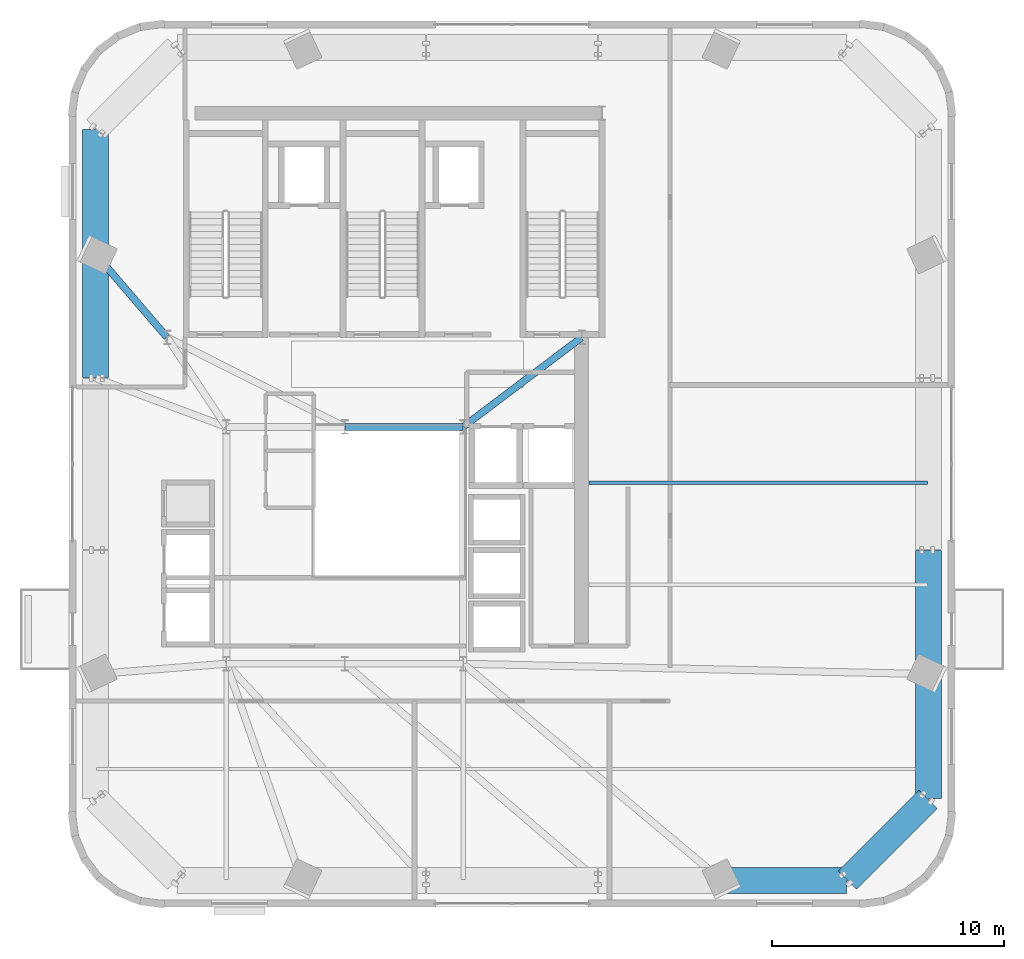
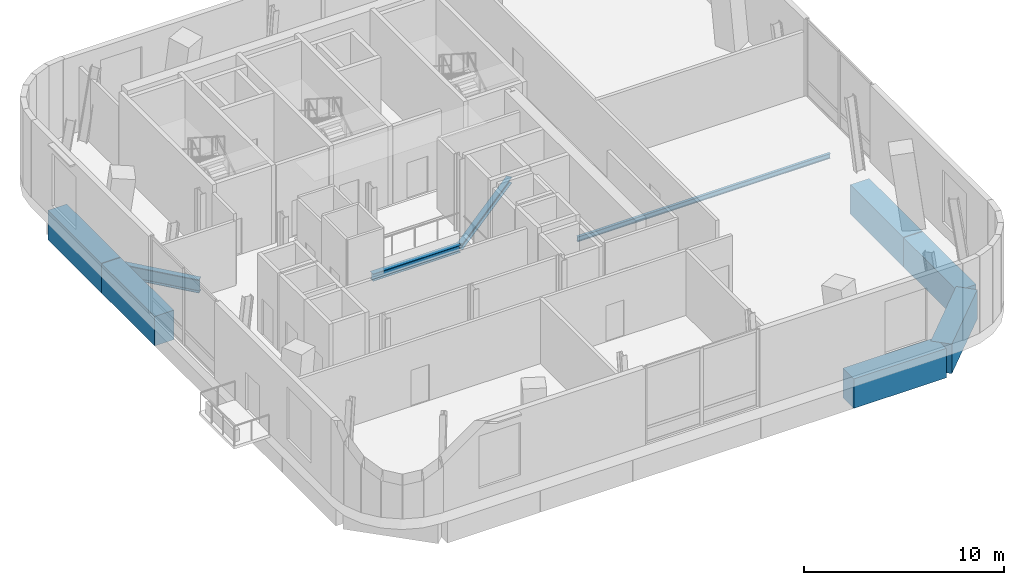
# One storey, part 3 of 11: 10 beams.
"""IFC4 building model written with IfcOpenShell, lengths in metres."""

from ifc_helpers import new_model, si_unit, direction, frame, origin, origin_2d, place, context, subcontext, project, spatial, rectangle, i_section, extrude, source, transform, mapped, material, material_profile, profile_set, type_object, element, save


model = new_model("IFC4")

# Units and contexts
model_context = context("Model", 3, precision=1e-05, world=origin(), true_north=direction((0.0, 1.0)))
body_context = subcontext(model_context, "Body", "Model", "MODEL_VIEW")
ifc_project = project(units=[si_unit("LENGTHUNIT", "METRE"), si_unit("AREAUNIT", "SQUARE_METRE"), si_unit("VOLUMEUNIT", "CUBIC_METRE"), si_unit("PLANEANGLEUNIT", "RADIAN"), si_unit("MASSUNIT", "GRAM", prefix="KILO")], contexts=[model_context])

# Site, building, storey
site_placement = place(None, origin())
site = spatial("IfcSite", under=ifc_project, at=site_placement, CompositionType="ELEMENT")
building_placement = place(site_placement, origin())
building = spatial("IfcBuilding", under=site, at=building_placement, Name="Vardaveli Station Tower", CompositionType="ELEMENT")
storey_placement = place(building_placement, frame((0.0, 0.0, 286.14990234375)))
storey = spatial("IfcBuildingStorey", under=building, at=storey_placement, Name="L73", CompositionType="ELEMENT", Elevation=286.14990234375)

# Beams
ifc_material_1 = material(Name="Structural steel S355J2", Category="steel")
ifc_material_profile_1 = material_profile(ifc_material_1, i_section(OverallWidth=0.300048828125, OverallDepth=0.449951171875, WebThickness=0.013916015625, FlangeThickness=0.02587890625, FilletRadius=0.027099609375, at=origin_2d()), Name="HEB 450")
ifc_profile_set_1 = profile_set([ifc_material_profile_1], Name="Structural steel S355J2")
beam_type_1 = type_object("IfcBeamType", Name="BM-HEB450", PredefinedType="BEAM", material=ifc_profile_set_1)
shared_shape_1 = source(origin(), body_context, "Body", "SweptSolid", [
    extrude(i_section(OverallWidth=0.300048828125, OverallDepth=0.449951171875, WebThickness=0.013916015625, FlangeThickness=0.02587890625, FilletRadius=0.027099609375, at=origin_2d()), origin(), (0.0, 0.0, 1.0), 5.059814453125),
])
beam_1_placement = place(storey_placement, frame((41.3798828125, 26.800048828125, -0.875), z_axis=(-1.0, 0.0, 0.0), x_axis=(0.0, -1.0, 0.0)))
element("IfcBeam", 1, at=beam_1_placement, inside=storey, type_object=beam_type_1, Name="ABM-L73-04", PredefinedType="BEAM", context=body_context, shape_type="MappedRepresentation", body=[
    mapped(shared_shape_1, transform((0.0, 0.0, 0.0), scale=1.0)),
])
ifc_material_profile_2 = material_profile(ifc_material_1, i_section(OverallWidth=0.300048828125, OverallDepth=0.360107421875, WebThickness=0.012451171875, FlangeThickness=0.0224609375, FilletRadius=0.027099609375, at=origin_2d()), Name="HEB 360")
ifc_profile_set_2 = profile_set([ifc_material_profile_2], Name="Structural steel S355J2")
beam_type_2 = type_object("IfcBeamType", Name="BM-HEB360", PredefinedType="BEAM", material=ifc_profile_set_2)
shared_shape_2 = source(origin(), body_context, "Body", "SweptSolid", [
    extrude(i_section(OverallWidth=0.300048828125, OverallDepth=0.360107421875, WebThickness=0.012451171875, FlangeThickness=0.0224609375, FilletRadius=0.027099609375, at=origin_2d()), origin(), (0.0, 0.0, 1.0), 6.35009765625),
])
beam_2_placement = place(storey_placement, frame((41.416015625, 26.81201171875, -0.829833984375), z_axis=(0.798118337722, 0.602500721154, 0.0), x_axis=(-0.602500721154, 0.798118337722, 0.0)))
element("IfcBeam", 2, at=beam_2_placement, inside=storey, type_object=beam_type_2, Name="CBM-L73-02", PredefinedType="BEAM", context=body_context, shape_type="MappedRepresentation", body=[
    mapped(shared_shape_2, transform((0.0, 0.0, 0.0), scale=1.0)),
])
ifc_material_2 = material(Name="Concrete C60/75", Category="concrete")
ifc_material_profile_3 = material_profile(ifc_material_2, rectangle(XDim=1.10009765625, YDim=1.800048828125, at=origin_2d()), Name="TG 1100x1800")
ifc_profile_set_3 = profile_set([ifc_material_profile_3], Name="Concrete C60/75")
beam_type_3 = type_object("IfcBeamType", Name="BM-TG-1800", PredefinedType="BEAM", material=ifc_profile_set_3)
shared_shape_3 = source(origin(), body_context, "Body", "SweptSolid", [
    extrude(rectangle(XDim=1.10009765625, YDim=1.800048828125, at=origin_2d()), origin(), (0.0, 0.0, 1.0), 5.3037109375),
])
beam_3_placement = place(storey_placement, frame((61.429931640625, 16.17626953125, -1.5498046875), z_axis=(0.0, 1.0, 0.0), x_axis=(-1.0, 0.0, 0.0)))
element("IfcBeam", 3, at=beam_3_placement, inside=storey, type_object=beam_type_3, Name="RBM-L73-07", PredefinedType="BEAM", context=body_context, shape_type="MappedRepresentation", body=[
    mapped(shared_shape_3, transform((0.0, 0.0, 0.0), scale=1.0)),
])
shared_shape_4 = source(origin(), body_context, "Body", "SweptSolid", [
    extrude(rectangle(XDim=1.10009765625, YDim=1.800048828125, at=origin_2d()), origin(), (0.0, 0.0, 1.0), 5.33935546875),
])
beam_4_placement = place(storey_placement, frame((52.563720703125, 7.27001953125, -1.5498046875), z_axis=(1.0, 0.0, 0.0), x_axis=(0.0, 1.0, 0.0)))
element("IfcBeam", 4, at=beam_4_placement, inside=storey, type_object=beam_type_3, Name="RBM-L73-04", PredefinedType="BEAM", context=body_context, shape_type="MappedRepresentation", body=[
    mapped(shared_shape_4, transform((0.0, 0.0, 0.0), scale=1.0)),
])
shared_shape_5 = source(origin(), body_context, "Body", "SweptSolid", [
    extrude(rectangle(XDim=1.10009765625, YDim=1.800048828125, at=origin_2d()), origin(), (0.0, 0.0, 1.0), 4.91943359375),
])
beam_5_placement = place(storey_placement, frame((57.937255859375, 7.2841796875, -1.5498046875), z_axis=(0.707081967375, 0.707131594127, 0.0), x_axis=(-0.707131594127, 0.707081967375, 0.0)))
element("IfcBeam", 5, at=beam_5_placement, inside=storey, type_object=beam_type_3, Name="RBM-L73-05", PredefinedType="BEAM", context=body_context, shape_type="MappedRepresentation", body=[
    mapped(shared_shape_5, transform((0.0, 0.0, 0.0), scale=1.0)),
])
shared_shape_6 = source(origin(), body_context, "Body", "SweptSolid", [
    extrude(rectangle(XDim=1.10009765625, YDim=1.800048828125, at=origin_2d()), origin(), (0.0, 0.0, 1.0), 5.339111328125),
])
for number, where, z_axis, x_axis, name in (
    (6, (61.429931640625, 10.797119140625, -1.5498046875), (0.0, 1.0, 0.0), (-1.0, 0.0, 0.0), "RBM-L73-06"),
    (7, (25.570068359375, 39.60302734375, -1.5498046875), (0.0, -1.0, 0.0), (1.0, 0.0, 0.0), "RBM-L73-18"),
):
    element("IfcBeam", number, at=place(storey_placement, frame(where, z_axis=z_axis, x_axis=x_axis)), inside=storey, type_object=beam_type_3, Name=name, PredefinedType="BEAM", context=body_context, shape_type="MappedRepresentation", body=[
        mapped(shared_shape_6, transform((0.0, 0.0, 0.0), scale=1.0)),
    ])
shared_shape_7 = source(origin(), body_context, "Body", "SweptSolid", [
    extrude(rectangle(XDim=1.10009765625, YDim=1.800048828125, at=origin_2d()), origin(), (0.0, 0.0, 1.0), 5.303955078125),
])
beam_6_placement = place(storey_placement, frame((25.570068359375, 34.223876953125, -1.5498046875), z_axis=(0.0, -1.0, 0.0), x_axis=(1.0, 0.0, 0.0)))
element("IfcBeam", 8, at=beam_6_placement, inside=storey, type_object=beam_type_3, Name="RBM-L73-19", PredefinedType="BEAM", context=body_context, shape_type="MappedRepresentation", body=[
    mapped(shared_shape_7, transform((0.0, 0.0, 0.0), scale=1.0)),
])
ifc_material_3 = material(Name="Structural steel S460M", Category="steel")
ifc_material_profile_4 = material_profile(ifc_material_3, i_section(OverallWidth=0.305908203125, OverallDepth=0.81396484375, WebThickness=0.02099609375, FlangeThickness=0.0400390625, FilletRadius=0.027099609375, at=origin_2d()), Name="HEM 800")
ifc_profile_set_4 = profile_set([ifc_material_profile_4], Name="Structural steel S460M")
beam_type_4 = type_object("IfcBeamType", Name="BM-HEM800", PredefinedType="BEAM", material=ifc_profile_set_4)
shared_shape_8 = source(origin(), body_context, "Body", "SweptSolid", [
    extrude(i_section(OverallWidth=0.305908203125, OverallDepth=0.81396484375, WebThickness=0.02099609375, FlangeThickness=0.0400390625, FilletRadius=0.027099609375, at=origin_2d()), origin(), (0.0, 0.0, 1.0), 4.69287109375),
])
beam_7_placement = place(storey_placement, frame((25.5830078125, 34.228515625, -1.056884765625), z_axis=(0.650761382957, -0.75928230748, 0.0), x_axis=(0.75928230748, 0.650761382957, 0.0)))
element("IfcBeam", 9, at=beam_7_placement, inside=storey, type_object=beam_type_4, Name="GBM-L73-12", PredefinedType="BEAM", context=body_context, shape_type="MappedRepresentation", body=[
    mapped(shared_shape_8, transform((0.0, 0.0, 0.0), scale=1.0)),
])
ifc_material_profile_5 = material_profile(ifc_material_1, i_section(OverallWidth=0.14990234375, OverallDepth=0.300048828125, WebThickness=0.007080078125, FlangeThickness=0.0107421875, FilletRadius=0.014892578125, at=origin_2d()), Name="IPE 300")
ifc_profile_set_5 = profile_set([ifc_material_profile_5], Name="Structural steel S355J2")
beam_type_5 = type_object("IfcBeamType", Name="BM-IPE300", PredefinedType="JOIST", material=ifc_profile_set_5)
shared_shape_9 = source(origin(), body_context, "Body", "SweptSolid", [
    extrude(i_section(OverallWidth=0.14990234375, OverallDepth=0.300048828125, WebThickness=0.007080078125, FlangeThickness=0.0107421875, FilletRadius=0.014892578125, at=origin_2d()), origin(), (0.0, 0.0, 1.0), 14.5849609375),
])
beam_8_placement = place(storey_placement, frame((46.804931640625, 24.39990234375, -0.7998046875), z_axis=(1.0, 0.0, 0.0), x_axis=(0.0, 1.0, 0.0)))
element("IfcBeam", 10, at=beam_8_placement, inside=storey, type_object=beam_type_5, Name="SJ-L73-E07", PredefinedType="JOIST", context=body_context, shape_type="MappedRepresentation", body=[
    mapped(shared_shape_9, transform((0.0, 0.0, 0.0), scale=1.0)),
])

save(model, "model.ifc")
